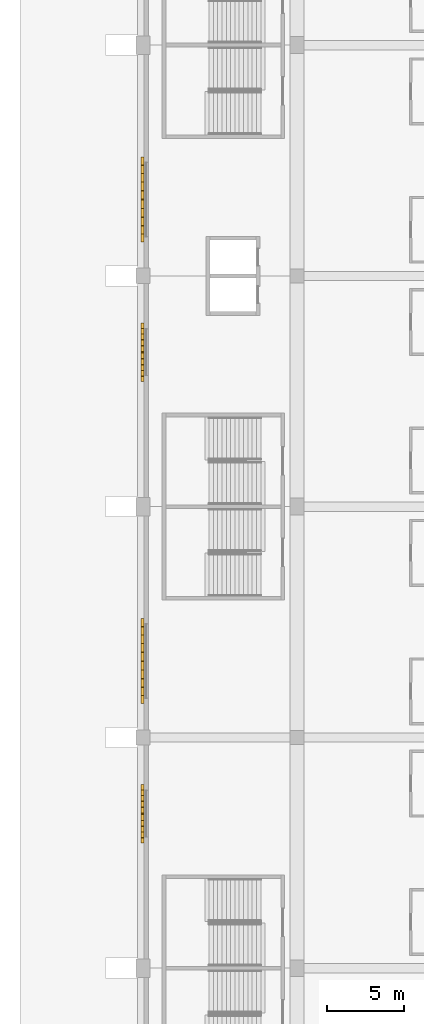
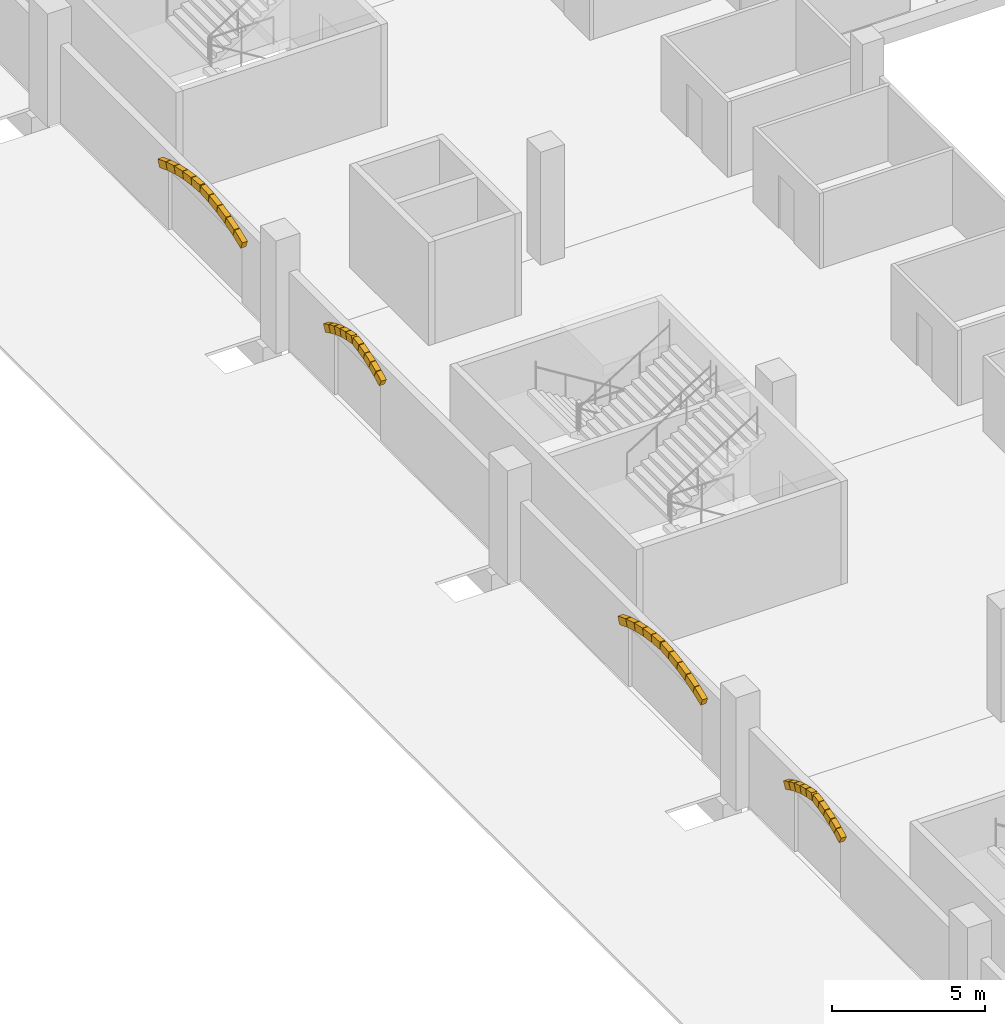
# One storey, part 170 of 175: 40 coverings.
"""IFC4 building model written with IfcOpenShell, lengths in metres."""

from ifc_helpers import new_model, si_unit, direction, frame, origin, origin_2d, place, context, subcontext, project, spatial, rectangle, extrude, material, material_profile, profile_set, type_object, element, save


model = new_model("IFC4")

# Units and contexts
model_context = context("Model", 3, precision=1e-05, world=origin(), true_north=direction((0.0, 1.0)))
body_context = subcontext(model_context, "Body", "Model", "MODEL_VIEW")
ifc_project = project(units=[si_unit("LENGTHUNIT", "METRE"), si_unit("AREAUNIT", "SQUARE_METRE"), si_unit("VOLUMEUNIT", "CUBIC_METRE"), si_unit("PLANEANGLEUNIT", "RADIAN"), si_unit("MASSUNIT", "GRAM", prefix="KILO")], contexts=[model_context])

# Site, building, storey
site_placement = place(None, origin())
site = spatial("IfcSite", under=ifc_project, at=site_placement, CompositionType="ELEMENT")
building_placement = place(site_placement, origin())
building = spatial("IfcBuilding", under=site, at=building_placement, Name="Ogive Plaza Stadium", CompositionType="ELEMENT")
storey_placement = place(building_placement, origin())
storey = spatial("IfcBuildingStorey", under=building, at=storey_placement, Name="L00", CompositionType="ELEMENT", Elevation=0.0)

# Coverings
ifc_material = material(Name="Cast stone (reconstituted limestone)", Category="masonry")
ifc_material_profile = material_profile(ifc_material, rectangle(XDim=0.199951171875, YDim=0.300048828125, at=origin_2d()), Name="Cast stone 200x300")
ifc_profile_set = profile_set([ifc_material_profile], Name="Cast stone (reconstituted limestone)")
covering_type = type_object("IfcCoveringType", Name="Portal arch rib 200x300", PredefinedType="MOLDING", material=ifc_profile_set)
covering_1_placement = place(storey_placement, frame((-84.050048828125, -29.281982421875, 2.532958984375), z_axis=(0.0, 0.885870063545, 0.463933433279), x_axis=(-1.0, 0.0, 0.0)))
element("IfcCovering", 1, at=covering_1_placement, inside=storey, type_object=covering_type, Name="PORTAL ARCH B22 1", PredefinedType="MOLDING", context=body_context, shape_type="SweptSolid", body=[
    extrude(rectangle(XDim=0.199951171875, YDim=0.300048828125, at=origin_2d()), origin(), (0.0, 0.0, 1.0), 0.3720703125),
])
covering_2_placement = place(storey_placement, frame((-84.050048828125, -28.942138671875, 2.71044921875), z_axis=(0.0, 0.918771491846, 0.394789748816), x_axis=(-1.0, 0.0, 0.0)))
element("IfcCovering", 2, at=covering_2_placement, inside=storey, type_object=covering_type, Name="PORTAL ARCH B22 2", PredefinedType="MOLDING", context=body_context, shape_type="SweptSolid", body=[
    extrude(rectangle(XDim=0.199951171875, YDim=0.300048828125, at=origin_2d()), origin(), (0.0, 0.0, 1.0), 0.372314453125),
])
for number, where, z_axis, x_axis, name in (
    (3, (-84.050048828125, -28.589599609375, 2.861572265625), (0.0, 0.946026425691, 0.324089496735), (-1.0, 0.0, 0.0), "PORTAL ARCH B22 3"),
    (4, (-84.050048828125, -28.2265625, 2.985595703125), (0.0, 0.96790236306, 0.2513265119), (-1.0, 0.0, 0.0), "PORTAL ARCH B22 4"),
):
    element("IfcCovering", number, at=place(storey_placement, frame(where, z_axis=z_axis, x_axis=x_axis)), inside=storey, type_object=covering_type, Name=name, PredefinedType="MOLDING", context=body_context, shape_type="SweptSolid", body=[
        extrude(rectangle(XDim=0.199951171875, YDim=0.300048828125, at=origin_2d()), origin(), (0.0, 0.0, 1.0), 0.3720703125),
    ])
covering_3_placement = place(storey_placement, frame((-84.050048828125, -27.85546875, 3.08154296875), z_axis=(0.0, 0.984089453269, 0.177673712083), x_axis=(-1.0, 0.0, 0.0)))
element("IfcCovering", 5, at=covering_3_placement, inside=storey, type_object=covering_type, Name="PORTAL ARCH B22 5", PredefinedType="MOLDING", context=body_context, shape_type="SweptSolid", body=[
    extrude(rectangle(XDim=0.199951171875, YDim=0.300048828125, at=origin_2d()), origin(), (0.0, 0.0, 1.0), 0.372314453125),
])
covering_4_placement = place(storey_placement, frame((-84.050048828125, -27.435791015625, 3.147705078125), z_axis=(0.0, 0.984068736563, -0.177788418406), x_axis=(-1.0, 0.0, 0.0)))
element("IfcCovering", 6, at=covering_4_placement, inside=storey, type_object=covering_type, Name="PORTAL ARCH B22 6", PredefinedType="MOLDING", context=body_context, shape_type="SweptSolid", body=[
    extrude(rectangle(XDim=0.199951171875, YDim=0.300048828125, at=origin_2d()), origin(), (0.0, 0.0, 1.0), 0.3720703125),
])
covering_5_placement = place(storey_placement, frame((-84.050048828125, -27.05859375, 3.0791015625), z_axis=(0.0, 0.967943772802, -0.251166981696), x_axis=(-1.0, 0.0, 0.0)))
element("IfcCovering", 7, at=covering_5_placement, inside=storey, type_object=covering_type, Name="PORTAL ARCH B22 7", PredefinedType="MOLDING", context=body_context, shape_type="SweptSolid", body=[
    extrude(rectangle(XDim=0.199951171875, YDim=0.300048828125, at=origin_2d()), origin(), (0.0, 0.0, 1.0), 0.372314453125),
])
for number, where, z_axis, x_axis, name in (
    (8, (-84.050048828125, -26.6875, 2.982177734375), (0.0, 0.946026425691, -0.324089496735), (-1.0, 0.0, 0.0), "PORTAL ARCH B22 8"),
    (9, (-84.050048828125, -26.32470703125, 2.857421875), (0.0, 0.91866918758, -0.395027750659), (-1.0, 0.0, 0.0), "PORTAL ARCH B22 9"),
):
    element("IfcCovering", number, at=place(storey_placement, frame(where, z_axis=z_axis, x_axis=x_axis)), inside=storey, type_object=covering_type, Name=name, PredefinedType="MOLDING", context=body_context, shape_type="SweptSolid", body=[
        extrude(rectangle(XDim=0.199951171875, YDim=0.300048828125, at=origin_2d()), origin(), (0.0, 0.0, 1.0), 0.3720703125),
    ])
covering_6_placement = place(storey_placement, frame((-84.050048828125, -25.97265625, 2.70556640625), z_axis=(0.0, 0.886011177193, -0.463663880293), x_axis=(-1.0, 0.0, 0.0)))
element("IfcCovering", 10, at=covering_6_placement, inside=storey, type_object=covering_type, Name="PORTAL ARCH B22 10", PredefinedType="MOLDING", context=body_context, shape_type="SweptSolid", body=[
    extrude(rectangle(XDim=0.199951171875, YDim=0.300048828125, at=origin_2d()), origin(), (0.0, 0.0, 1.0), 0.372314453125),
])
covering_7_placement = place(storey_placement, frame((-84.050048828125, -20.24169921875, 2.539794921875), z_axis=(0.0, 0.932339785038, 0.361583358627), x_axis=(-1.0, 0.0, 0.0)))
element("IfcCovering", 11, at=covering_7_placement, inside=storey, type_object=covering_type, Name="PORTAL ARCH B23 1", PredefinedType="MOLDING", context=body_context, shape_type="SweptSolid", body=[
    extrude(rectangle(XDim=0.199951171875, YDim=0.300048828125, at=origin_2d()), origin(), (0.0, 0.0, 1.0), 0.546142578125),
])
covering_8_placement = place(storey_placement, frame((-84.050048828125, -19.721923828125, 2.740966796875), z_axis=(0.0, 0.956375841274, 0.292139093972), x_axis=(-1.0, 0.0, 0.0)))
element("IfcCovering", 12, at=covering_8_placement, inside=storey, type_object=covering_type, Name="PORTAL ARCH B23 2", PredefinedType="MOLDING", context=body_context, shape_type="SweptSolid", body=[
    extrude(rectangle(XDim=0.199951171875, YDim=0.300048828125, at=origin_2d()), origin(), (0.0, 0.0, 1.0), 0.546630859375),
])
covering_9_placement = place(storey_placement, frame((-84.050048828125, -19.188720703125, 2.9033203125), z_axis=(0.0, 0.975242447538, 0.221138347014), x_axis=(-1.0, 0.0, 0.0)))
element("IfcCovering", 13, at=covering_9_placement, inside=storey, type_object=covering_type, Name="PORTAL ARCH B23 3", PredefinedType="MOLDING", context=body_context, shape_type="SweptSolid", body=[
    extrude(rectangle(XDim=0.199951171875, YDim=0.300048828125, at=origin_2d()), origin(), (0.0, 0.0, 1.0), 0.54638671875),
])
covering_10_placement = place(storey_placement, frame((-84.050048828125, -18.64501953125, 3.026123046875), z_axis=(0.0, 0.988942904622, 0.148296767992), x_axis=(-1.0, 0.0, 0.0)))
element("IfcCovering", 14, at=covering_10_placement, inside=storey, type_object=covering_type, Name="PORTAL ARCH B23 4", PredefinedType="MOLDING", context=body_context, shape_type="SweptSolid", body=[
    extrude(rectangle(XDim=0.199951171875, YDim=0.300048828125, at=origin_2d()), origin(), (0.0, 0.0, 1.0), 0.546630859375),
])
for number, where, z_axis, x_axis, name in (
    (15, (-84.050048828125, -18.093505859375, 3.1083984375), (0.0, 0.997143198104, 0.075534379417), (-1.0, 0.0, 0.0), "PORTAL ARCH B23 5"),
    (16, (-84.050048828125, -17.526123046875, 3.149658203125), (0.0, 0.997143198104, -0.075534379417), (-1.0, 0.0, 0.0), "PORTAL ARCH B23 6"),
):
    element("IfcCovering", number, at=place(storey_placement, frame(where, z_axis=z_axis, x_axis=x_axis)), inside=storey, type_object=covering_type, Name=name, PredefinedType="MOLDING", context=body_context, shape_type="SweptSolid", body=[
        extrude(rectangle(XDim=0.199951171875, YDim=0.300048828125, at=origin_2d()), origin(), (0.0, 0.0, 1.0), 0.546142578125),
    ])
for number, where, z_axis, x_axis, name in (
    (17, (-84.050048828125, -16.970458984375, 3.107177734375), (0.0, 0.988933074819, -0.148362304944), (-1.0, 0.0, 0.0), "PORTAL ARCH B23 7"),
    (18, (-84.050048828125, -16.419189453125, 3.024169921875), (0.0, 0.975242447538, -0.221138347014), (-1.0, 0.0, 0.0), "PORTAL ARCH B23 8"),
):
    element("IfcCovering", number, at=place(storey_placement, frame(where, z_axis=z_axis, x_axis=x_axis)), inside=storey, type_object=covering_type, Name=name, PredefinedType="MOLDING", context=body_context, shape_type="SweptSolid", body=[
        extrude(rectangle(XDim=0.199951171875, YDim=0.300048828125, at=origin_2d()), origin(), (0.0, 0.0, 1.0), 0.54638671875),
    ])
covering_11_placement = place(storey_placement, frame((-84.050048828125, -15.875732421875, 2.900634765625), z_axis=(0.0, 0.956375841274, -0.292139093972), x_axis=(-1.0, 0.0, 0.0)))
element("IfcCovering", 19, at=covering_11_placement, inside=storey, type_object=covering_type, Name="PORTAL ARCH B23 9", PredefinedType="MOLDING", context=body_context, shape_type="SweptSolid", body=[
    extrude(rectangle(XDim=0.199951171875, YDim=0.300048828125, at=origin_2d()), origin(), (0.0, 0.0, 1.0), 0.546630859375),
])
covering_12_placement = place(storey_placement, frame((-84.050048828125, -15.3427734375, 2.7373046875), z_axis=(0.0, 0.932398184034, -0.361432741199), x_axis=(-1.0, 0.0, 0.0)))
element("IfcCovering", 20, at=covering_12_placement, inside=storey, type_object=covering_type, Name="PORTAL ARCH B23 10", PredefinedType="MOLDING", context=body_context, shape_type="SweptSolid", body=[
    extrude(rectangle(XDim=0.199951171875, YDim=0.300048828125, at=origin_2d()), origin(), (0.0, 0.0, 1.0), 0.54638671875),
])
covering_13_placement = place(storey_placement, frame((-84.050048828125, 0.718017578125, 2.532958984375), z_axis=(0.0, 0.885870063545, 0.463933433279), x_axis=(-1.0, 0.0, 0.0)))
element("IfcCovering", 21, at=covering_13_placement, inside=storey, type_object=covering_type, Name="PORTAL ARCH B24 1", PredefinedType="MOLDING", context=body_context, shape_type="SweptSolid", body=[
    extrude(rectangle(XDim=0.199951171875, YDim=0.300048828125, at=origin_2d()), origin(), (0.0, 0.0, 1.0), 0.3720703125),
])
covering_14_placement = place(storey_placement, frame((-84.050048828125, 1.057861328125, 2.71044921875), z_axis=(0.0, 0.918771491846, 0.394789748816), x_axis=(-1.0, 0.0, 0.0)))
element("IfcCovering", 22, at=covering_14_placement, inside=storey, type_object=covering_type, Name="PORTAL ARCH B24 2", PredefinedType="MOLDING", context=body_context, shape_type="SweptSolid", body=[
    extrude(rectangle(XDim=0.199951171875, YDim=0.300048828125, at=origin_2d()), origin(), (0.0, 0.0, 1.0), 0.372314453125),
])
for number, where, z_axis, x_axis, name in (
    (23, (-84.050048828125, 1.410400390625, 2.861572265625), (0.0, 0.946026425691, 0.324089496735), (-1.0, 0.0, 0.0), "PORTAL ARCH B24 3"),
    (24, (-84.050048828125, 1.7734375, 2.985595703125), (0.0, 0.96790236306, 0.2513265119), (-1.0, 0.0, 0.0), "PORTAL ARCH B24 4"),
):
    element("IfcCovering", number, at=place(storey_placement, frame(where, z_axis=z_axis, x_axis=x_axis)), inside=storey, type_object=covering_type, Name=name, PredefinedType="MOLDING", context=body_context, shape_type="SweptSolid", body=[
        extrude(rectangle(XDim=0.199951171875, YDim=0.300048828125, at=origin_2d()), origin(), (0.0, 0.0, 1.0), 0.3720703125),
    ])
covering_15_placement = place(storey_placement, frame((-84.050048828125, 2.14453125, 3.08154296875), z_axis=(0.0, 0.984089453269, 0.177673712083), x_axis=(-1.0, 0.0, 0.0)))
element("IfcCovering", 25, at=covering_15_placement, inside=storey, type_object=covering_type, Name="PORTAL ARCH B24 5", PredefinedType="MOLDING", context=body_context, shape_type="SweptSolid", body=[
    extrude(rectangle(XDim=0.199951171875, YDim=0.300048828125, at=origin_2d()), origin(), (0.0, 0.0, 1.0), 0.372314453125),
])
covering_16_placement = place(storey_placement, frame((-84.050048828125, 2.564208984375, 3.147705078125), z_axis=(0.0, 0.984068736563, -0.177788418406), x_axis=(-1.0, 0.0, 0.0)))
element("IfcCovering", 26, at=covering_16_placement, inside=storey, type_object=covering_type, Name="PORTAL ARCH B24 6", PredefinedType="MOLDING", context=body_context, shape_type="SweptSolid", body=[
    extrude(rectangle(XDim=0.199951171875, YDim=0.300048828125, at=origin_2d()), origin(), (0.0, 0.0, 1.0), 0.3720703125),
])
covering_17_placement = place(storey_placement, frame((-84.050048828125, 2.94140625, 3.0791015625), z_axis=(0.0, 0.967943772802, -0.251166981696), x_axis=(-1.0, 0.0, 0.0)))
element("IfcCovering", 27, at=covering_17_placement, inside=storey, type_object=covering_type, Name="PORTAL ARCH B24 7", PredefinedType="MOLDING", context=body_context, shape_type="SweptSolid", body=[
    extrude(rectangle(XDim=0.199951171875, YDim=0.300048828125, at=origin_2d()), origin(), (0.0, 0.0, 1.0), 0.372314453125),
])
for number, where, z_axis, x_axis, name in (
    (28, (-84.050048828125, 3.3125, 2.982177734375), (0.0, 0.946026425691, -0.324089496735), (-1.0, 0.0, 0.0), "PORTAL ARCH B24 8"),
    (29, (-84.050048828125, 3.67529296875, 2.857421875), (0.0, 0.91866918758, -0.395027750659), (-1.0, 0.0, 0.0), "PORTAL ARCH B24 9"),
):
    element("IfcCovering", number, at=place(storey_placement, frame(where, z_axis=z_axis, x_axis=x_axis)), inside=storey, type_object=covering_type, Name=name, PredefinedType="MOLDING", context=body_context, shape_type="SweptSolid", body=[
        extrude(rectangle(XDim=0.199951171875, YDim=0.300048828125, at=origin_2d()), origin(), (0.0, 0.0, 1.0), 0.3720703125),
    ])
covering_18_placement = place(storey_placement, frame((-84.050048828125, 4.02734375, 2.70556640625), z_axis=(0.0, 0.886011177193, -0.463663880293), x_axis=(-1.0, 0.0, 0.0)))
element("IfcCovering", 30, at=covering_18_placement, inside=storey, type_object=covering_type, Name="PORTAL ARCH B24 10", PredefinedType="MOLDING", context=body_context, shape_type="SweptSolid", body=[
    extrude(rectangle(XDim=0.199951171875, YDim=0.300048828125, at=origin_2d()), origin(), (0.0, 0.0, 1.0), 0.372314453125),
])
covering_19_placement = place(storey_placement, frame((-84.050048828125, 9.75830078125, 2.539794921875), z_axis=(0.0, 0.932339785038, 0.361583358627), x_axis=(-1.0, 0.0, 0.0)))
element("IfcCovering", 31, at=covering_19_placement, inside=storey, type_object=covering_type, Name="PORTAL ARCH B25 1", PredefinedType="MOLDING", context=body_context, shape_type="SweptSolid", body=[
    extrude(rectangle(XDim=0.199951171875, YDim=0.300048828125, at=origin_2d()), origin(), (0.0, 0.0, 1.0), 0.546142578125),
])
covering_20_placement = place(storey_placement, frame((-84.050048828125, 10.278076171875, 2.740966796875), z_axis=(0.0, 0.956375841274, 0.292139093972), x_axis=(-1.0, 0.0, 0.0)))
element("IfcCovering", 32, at=covering_20_placement, inside=storey, type_object=covering_type, Name="PORTAL ARCH B25 2", PredefinedType="MOLDING", context=body_context, shape_type="SweptSolid", body=[
    extrude(rectangle(XDim=0.199951171875, YDim=0.300048828125, at=origin_2d()), origin(), (0.0, 0.0, 1.0), 0.546630859375),
])
covering_21_placement = place(storey_placement, frame((-84.050048828125, 10.811279296875, 2.9033203125), z_axis=(0.0, 0.975242447538, 0.221138347014), x_axis=(-1.0, 0.0, 0.0)))
element("IfcCovering", 33, at=covering_21_placement, inside=storey, type_object=covering_type, Name="PORTAL ARCH B25 3", PredefinedType="MOLDING", context=body_context, shape_type="SweptSolid", body=[
    extrude(rectangle(XDim=0.199951171875, YDim=0.300048828125, at=origin_2d()), origin(), (0.0, 0.0, 1.0), 0.54638671875),
])
covering_22_placement = place(storey_placement, frame((-84.050048828125, 11.35498046875, 3.026123046875), z_axis=(0.0, 0.988942904622, 0.148296767992), x_axis=(-1.0, 0.0, 0.0)))
element("IfcCovering", 34, at=covering_22_placement, inside=storey, type_object=covering_type, Name="PORTAL ARCH B25 4", PredefinedType="MOLDING", context=body_context, shape_type="SweptSolid", body=[
    extrude(rectangle(XDim=0.199951171875, YDim=0.300048828125, at=origin_2d()), origin(), (0.0, 0.0, 1.0), 0.546630859375),
])
for number, where, z_axis, x_axis, name in (
    (35, (-84.050048828125, 11.906494140625, 3.1083984375), (0.0, 0.997143198104, 0.075534379417), (-1.0, 0.0, 0.0), "PORTAL ARCH B25 5"),
    (36, (-84.050048828125, 12.473876953125, 3.149658203125), (0.0, 0.997143198104, -0.075534379417), (-1.0, 0.0, 0.0), "PORTAL ARCH B25 6"),
):
    element("IfcCovering", number, at=place(storey_placement, frame(where, z_axis=z_axis, x_axis=x_axis)), inside=storey, type_object=covering_type, Name=name, PredefinedType="MOLDING", context=body_context, shape_type="SweptSolid", body=[
        extrude(rectangle(XDim=0.199951171875, YDim=0.300048828125, at=origin_2d()), origin(), (0.0, 0.0, 1.0), 0.546142578125),
    ])
for number, where, z_axis, x_axis, name in (
    (37, (-84.050048828125, 13.029541015625, 3.107177734375), (0.0, 0.988933074819, -0.148362304944), (-1.0, 0.0, 0.0), "PORTAL ARCH B25 7"),
    (38, (-84.050048828125, 13.580810546875, 3.024169921875), (0.0, 0.975242447538, -0.221138347014), (-1.0, 0.0, 0.0), "PORTAL ARCH B25 8"),
):
    element("IfcCovering", number, at=place(storey_placement, frame(where, z_axis=z_axis, x_axis=x_axis)), inside=storey, type_object=covering_type, Name=name, PredefinedType="MOLDING", context=body_context, shape_type="SweptSolid", body=[
        extrude(rectangle(XDim=0.199951171875, YDim=0.300048828125, at=origin_2d()), origin(), (0.0, 0.0, 1.0), 0.54638671875),
    ])
covering_23_placement = place(storey_placement, frame((-84.050048828125, 14.124267578125, 2.900634765625), z_axis=(0.0, 0.956375841274, -0.292139093972), x_axis=(-1.0, 0.0, 0.0)))
element("IfcCovering", 39, at=covering_23_placement, inside=storey, type_object=covering_type, Name="PORTAL ARCH B25 9", PredefinedType="MOLDING", context=body_context, shape_type="SweptSolid", body=[
    extrude(rectangle(XDim=0.199951171875, YDim=0.300048828125, at=origin_2d()), origin(), (0.0, 0.0, 1.0), 0.546630859375),
])
covering_24_placement = place(storey_placement, frame((-84.050048828125, 14.6572265625, 2.7373046875), z_axis=(0.0, 0.932398184034, -0.361432741199), x_axis=(-1.0, 0.0, 0.0)))
element("IfcCovering", 40, at=covering_24_placement, inside=storey, type_object=covering_type, Name="PORTAL ARCH B25 10", PredefinedType="MOLDING", context=body_context, shape_type="SweptSolid", body=[
    extrude(rectangle(XDim=0.199951171875, YDim=0.300048828125, at=origin_2d()), origin(), (0.0, 0.0, 1.0), 0.54638671875),
])

save(model, "model.ifc")
